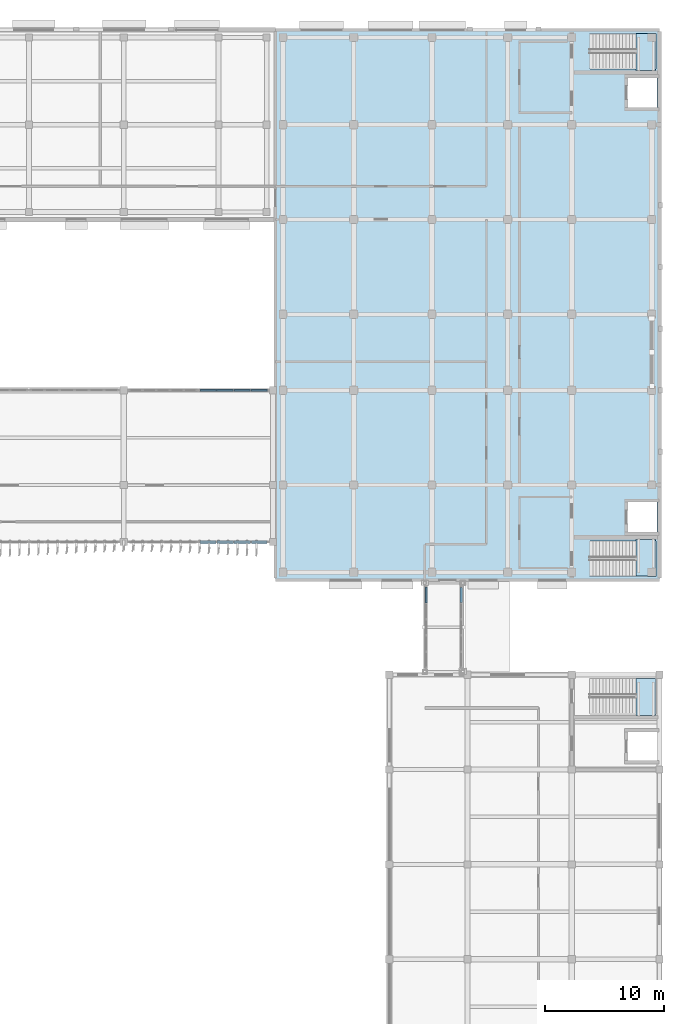
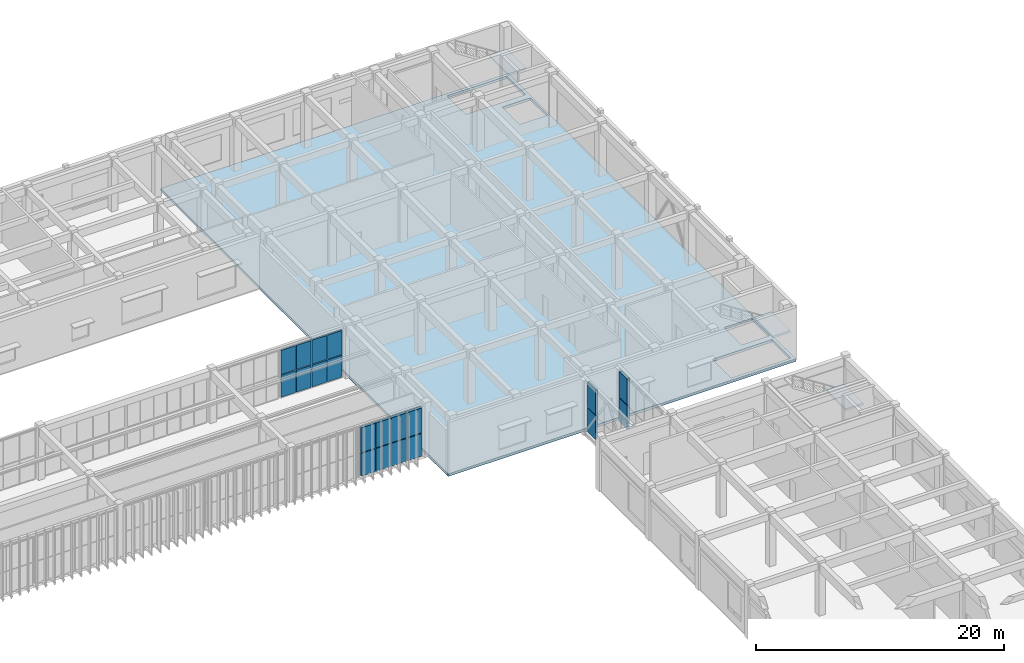
# One storey, part 34 of 64: 20 plates, 4 slabs, 7 elements without a shape of their own.
"""IFC4 building model written with IfcOpenShell, lengths in metres."""

import ifcopenshell
import ifcopenshell.guid

model = None  # the IFC model being written
_history = None  # IfcOwnerHistory: only IFC2X3 demands one
_inside = {}  # id of a spatial element -> (the spatial element, [elements in it])
_under = {}  # id of a project, library or spatial element -> (it, [spatial elements below it])
_declared = {}  # id of a project -> (the project, [libraries it declares])
_typed = {}  # id of a type object -> (the type object, [elements of that type])
_made_of = {}  # id of a material, layer set ... -> (it, [elements and type objects made of it])


def new_model(schema):
    """Start an empty IFC model of exactly this schema.

    Asked for "IFC4X3", IfcOpenShell would pick the latest addendum, in which some entities
    have other attributes; the version numbers below select the first issue.
    IFC2X3 requires an IfcOwnerHistory on every rooted entity: one is made here for all.
    """
    global model, _history
    if schema == "IFC4X3":
        model = ifcopenshell.file(schema_version=(4, 3, 0, 0))
    else:
        model = ifcopenshell.file(schema=schema)
    _inside.clear()
    _under.clear()
    _declared.clear()
    _typed.clear()
    _made_of.clear()
    _history = None
    if model.schema == "IFC2X3":
        org = make("IfcOrganization", Name="unknown")
        user = make(
            "IfcPersonAndOrganization",
            ThePerson=make("IfcPerson", FamilyName="unknown"),
            TheOrganization=org,
        )
        app = make(
            "IfcApplication",
            ApplicationDeveloper=org,
            Version="unknown",
            ApplicationFullName="unknown",
            ApplicationIdentifier="unknown",
        )
        _history = make(
            "IfcOwnerHistory",
            OwningUser=user,
            OwningApplication=app,
            ChangeAction="ADDED",
            CreationDate=0,
        )
    return model


def make(cls, **values):
    """One entity of the class cls with the attributes given. An attribute that is None is left unset."""
    return model.create_entity(
        cls, **{name: value for name, value in values.items() if value is not None}
    )


def rooted(cls, **values):
    """An entity with a GlobalId (a new one), such as an element, a storey or a relation."""
    return make(cls, GlobalId=ifcopenshell.guid.new(), OwnerHistory=_history, **values)


def si_unit(unit_type, name, prefix=None):
    """IfcSIUnit, for example si_unit("LENGTHUNIT", "METRE", prefix="MILLI")."""
    return make("IfcSIUnit", UnitType=unit_type, Prefix=prefix, Name=name)


def assignment(units):
    """IfcUnitAssignment: the units of a project."""
    return None if units is None else make("IfcUnitAssignment", Units=units)


def point(xyz):
    """IfcCartesianPoint."""
    return None if xyz is None else make("IfcCartesianPoint", Coordinates=xyz)


def direction(xyz):
    """IfcDirection."""
    return None if xyz is None else make("IfcDirection", DirectionRatios=xyz)


def frame(location, z_axis=None, x_axis=None):
    """IfcAxis2Placement3D, a coordinate frame: its origin and axes. An axis left out is left unset."""
    return make(
        "IfcAxis2Placement3D",
        Location=point(location),
        Axis=direction(z_axis),
        RefDirection=direction(x_axis),
    )


def frame_2d(location, x_axis=None):
    """IfcAxis2Placement2D, a coordinate frame in the plane: its origin and x axis."""
    return make(
        "IfcAxis2Placement2D", Location=point(location), RefDirection=direction(x_axis)
    )


def origin():
    """The frame at (0, 0, 0) with its axes left unset."""
    return frame((0.0, 0.0, 0.0))


def origin_2d():
    """The frame at (0, 0) in the plane with its x axis left unset."""
    return frame_2d((0.0, 0.0))


def place(relative_to, where):
    """IfcLocalPlacement: puts the frame where relative to a parent placement (None: the world)."""
    return make(
        "IfcLocalPlacement", PlacementRelTo=relative_to, RelativePlacement=where
    )


def context(
    kind, dimensions, precision=None, world=None, true_north=None, identifier=None
):
    """IfcGeometricRepresentationContext, for example the 3D "Model" context."""
    return make(
        "IfcGeometricRepresentationContext",
        ContextIdentifier=identifier,
        ContextType=kind,
        CoordinateSpaceDimension=dimensions,
        Precision=precision,
        WorldCoordinateSystem=world,
        TrueNorth=true_north,
    )


def subcontext(parent, identifier, kind, view, scale=None):
    """IfcGeometricRepresentationSubContext, for example "Body" below "Model"."""
    return make(
        "IfcGeometricRepresentationSubContext",
        ContextIdentifier=identifier,
        ContextType=kind,
        ParentContext=parent,
        TargetScale=scale,
        TargetView=view,
    )


def project(units=None, contexts=None):
    """IfcProject with its units and contexts."""
    return rooted(
        "IfcProject",
        Name="project",
        RepresentationContexts=contexts,
        UnitsInContext=assignment(units),
    )


def spatial(cls, under=None, at=None, **own):
    """A site, building, storey or space (cls), placed at a placement, below another one or the project."""
    s = rooted(cls, ObjectPlacement=at, **own)
    if under is not None:
        _under.setdefault(under.id(), (under, []))[1].append(s)
    return s


def polyline(points):
    """IfcPolyline through the points."""
    return make("IfcPolyline", Points=[point(p) for p in points])


def profile(cls, at=None, kind="AREA", **sizes):
    """A parametric profile (cls). Its sizes go by their IFC names, for example OverallWidth=200.0."""
    return make(cls, ProfileType=kind, Position=at, **sizes)


def rectangle(**sizes):
    """IfcRectangleProfileDef."""
    return profile("IfcRectangleProfileDef", **sizes)


def outline(outer, holes=None, kind="AREA"):
    """IfcArbitraryClosedProfileDef: a profile drawn as a closed curve; with holes, ...WithVoids."""
    if holes is None:
        return make("IfcArbitraryClosedProfileDef", ProfileType=kind, OuterCurve=outer)
    return make(
        "IfcArbitraryProfileDefWithVoids",
        ProfileType=kind,
        OuterCurve=outer,
        InnerCurves=holes,
    )


def extrude(swept, where, along, depth):
    """IfcExtrudedAreaSolid: the profile swept, set in the frame where, extruded along a direction by depth."""
    return make(
        "IfcExtrudedAreaSolid",
        SweptArea=swept,
        Position=where,
        ExtrudedDirection=direction(along),
        Depth=depth,
    )


def shape(context_of_items, identifier, shape_type, items):
    """IfcShapeRepresentation: the items that make up one representation, for example the "Body"."""
    return make(
        "IfcShapeRepresentation",
        ContextOfItems=context_of_items,
        RepresentationIdentifier=identifier,
        RepresentationType=shape_type,
        Items=items,
    )


def material(Name=None, Category=None):
    """IfcMaterial."""
    return make("IfcMaterial", Name=Name, Category=Category)


def layer(
    of_material, thickness, ventilated=None, Name=None, Category=None, Priority=None
):
    """IfcMaterialLayer: one layer of a wall or slab, of a material (None: an air gap)."""
    return make(
        "IfcMaterialLayer",
        Material=of_material,
        LayerThickness=thickness,
        IsVentilated=ventilated,
        Name=Name,
        Category=Category,
        Priority=Priority,
    )


def layer_set(layers, Name=None):
    """IfcMaterialLayerSet."""
    return make("IfcMaterialLayerSet", MaterialLayers=layers, LayerSetName=Name)


def made_of(thing, what):
    """Note that an element or type object is made of a material, layer set ...; save() writes the relation."""
    if what is not None:
        _made_of.setdefault(what.id(), (what, []))[1].append(thing)
    return thing


def type_object(cls, material=None, **own):
    """A type object (cls), such as IfcWallType, which elements share."""
    return made_of(rooted(cls, **own), material)


def element(
    cls,
    number,
    at=None,
    inside=None,
    cuts=None,
    type_object=None,
    material=None,
    context=None,
    identifier="Body",
    shape_type=None,
    held_by="IfcProductDefinitionShape",
    body=None,
    shapes=None,
    **own,
):
    """One element of the class cls, such as IfcWall. Its Tag is "e" and its number.

    at: its placement. inside: the storey or other place that contains it. cuts: it is an
    opening in that element (IfcRelVoidsElement). A single representation is given by context,
    identifier, shape_type and body (its items); several are given by shapes. held_by: the class
    of the entity that holds the representations. save() writes the other relations.
    """
    e = rooted(cls, Tag="e%d" % number, ObjectPlacement=at, **own)
    if body is not None:
        shapes = [shape(context, identifier, shape_type, body)]
    if shapes is not None:
        e.Representation = make(held_by, Representations=shapes)
    if inside is not None:
        _inside.setdefault(inside.id(), (inside, []))[1].append(e)
    if cuts is not None:
        rooted(
            "IfcRelVoidsElement", RelatingBuildingElement=cuts, RelatedOpeningElement=e
        )
    if type_object is not None:
        _typed.setdefault(type_object.id(), (type_object, []))[1].append(e)
    return made_of(e, material)


def aggregate(whole, parts):
    """IfcRelAggregates: a whole, such as a stair, and the parts it consists of."""
    return rooted("IfcRelAggregates", RelatingObject=whole, RelatedObjects=parts)


def save(model, path):
    """Write the relations noted so far, then the file.

    IfcRelAggregates (storeys below a building ...), IfcRelContainedInSpatialStructure (elements
    in a storey), IfcRelDefinesByType, IfcRelAssociatesMaterial and IfcRelDeclares: one each for
    every whole, place, type object, material and project.
    """
    for whole, parts in _under.values():
        aggregate(whole, parts)
    for where, things in _inside.values():
        rooted(
            "IfcRelContainedInSpatialStructure",
            RelatedElements=things,
            RelatingStructure=where,
        )
    for kind, things in _typed.values():
        rooted("IfcRelDefinesByType", RelatedObjects=things, RelatingType=kind)
    for what, things in _made_of.values():
        rooted("IfcRelAssociatesMaterial", RelatedObjects=things, RelatingMaterial=what)
    for by, libraries in _declared.values():
        rooted("IfcRelDeclares", RelatingContext=by, RelatedDefinitions=libraries)
    model.write(path)


model = new_model("IFC4")

# Units and contexts
model_context = context("Model", 3, precision=1e-05, world=origin(), true_north=direction((0.0, 1.0)))
body_context = subcontext(model_context, "Body", "Model", "MODEL_VIEW")
ifc_project = project(units=[si_unit("LENGTHUNIT", "METRE"), si_unit("AREAUNIT", "SQUARE_METRE"), si_unit("VOLUMEUNIT", "CUBIC_METRE"), si_unit("PLANEANGLEUNIT", "RADIAN"), si_unit("MASSUNIT", "GRAM", prefix="KILO")], contexts=[model_context])

# Site, building, storey
site_placement = place(None, origin())
site = spatial("IfcSite", under=ifc_project, at=site_placement, CompositionType="ELEMENT")
building_placement = place(site_placement, origin())
building = spatial("IfcBuilding", under=site, at=building_placement, Name="Cinchona Park Media Centre", CompositionType="ELEMENT")
storey_placement = place(building_placement, frame((0.0, 0.0, 10.199951171875)))
storey = spatial("IfcBuildingStorey", under=building, at=storey_placement, Name="L02", CompositionType="ELEMENT", Elevation=10.199951171875)

# Curtain wall, plates
ifc_material_1 = material(Name="Aluminium Curtain Wall Framing", Category="aluminium")
ifc_layer_1 = layer(ifc_material_1, 0.2099609375)
ifc_layer_set_1 = layer_set([ifc_layer_1], Name="Aluminium Curtain Wall Framing")
curtain_wall_type_1 = type_object("IfcCurtainWallType", Name="CW-CW03", PredefinedType="USERDEFINED", material=ifc_layer_set_1)
curtain_wall_1_placement = place(storey_placement, origin())
curtain_wall_1 = element("IfcCurtainWall", 1, at=curtain_wall_1_placement, inside=storey, type_object=curtain_wall_type_1, Name="Curtain Wall CW03 L02", ObjectType="UNITISED CURTAIN WALL", PredefinedType="USERDEFINED")
ifc_material_2 = material(Name="Insulated Acoustic Aluminium-Glass Spandrel Cassette", Category="aluminium")
ifc_layer_2 = layer(ifc_material_2, 0.139892578125)
ifc_layer_set_2 = layer_set([ifc_layer_2], Name="Insulated Acoustic Aluminium-Glass Spandrel Cassette")
plate_type_1 = type_object("IfcPlateType", Name="CWPANEL-PNL13", PredefinedType="CURTAIN_PANEL", material=ifc_layer_set_2)
plate_1_placement = place(storey_placement, frame((133.922607421875, 87.60009765625, 0.1201171875), z_axis=(0.0, 0.0, 1.0), x_axis=(1.0, 0.0, 0.0)))
plate_1 = element("IfcPlate", 2, at=plate_1_placement, type_object=plate_type_1, Name="CW03 panel 1.1", PredefinedType="CURTAIN_PANEL", context=body_context, shape_type="SweptSolid", body=[
    extrude(rectangle(XDim=1.344970703125, YDim=0.139892578125, at=origin_2d()), origin(), (0.0, 0.0, 1.0), 2.174072265625),
])
plate_2_placement = place(storey_placement, frame((133.922607421875, 87.60009765625, 2.3642578125), z_axis=(0.0, 0.0, 1.0), x_axis=(1.0, 0.0, 0.0)))
plate_2 = element("IfcPlate", 3, at=plate_2_placement, type_object=plate_type_1, Name="CW03 panel 1.2", PredefinedType="CURTAIN_PANEL", context=body_context, shape_type="SweptSolid", body=[
    extrude(rectangle(XDim=1.344970703125, YDim=0.139892578125, at=origin_2d()), origin(), (0.0, 0.0, 1.0), 2.363037109375),
])
plate_3_placement = place(storey_placement, frame((135.35498046875, 87.60009765625, 0.1201171875), z_axis=(0.0, 0.0, 1.0), x_axis=(1.0, 0.0, 0.0)))
plate_3 = element("IfcPlate", 4, at=plate_3_placement, type_object=plate_type_1, Name="CW03 panel 2.1", PredefinedType="CURTAIN_PANEL", context=body_context, shape_type="SweptSolid", body=[
    extrude(rectangle(XDim=1.3798828125, YDim=0.139892578125, at=origin_2d()), origin(), (0.0, 0.0, 1.0), 2.174072265625),
])
plate_4_placement = place(storey_placement, frame((135.35498046875, 87.60009765625, 2.3642578125), z_axis=(0.0, 0.0, 1.0), x_axis=(1.0, 0.0, 0.0)))
plate_4 = element("IfcPlate", 5, at=plate_4_placement, type_object=plate_type_1, Name="CW03 panel 2.2", PredefinedType="CURTAIN_PANEL", context=body_context, shape_type="SweptSolid", body=[
    extrude(rectangle(XDim=1.3798828125, YDim=0.139892578125, at=origin_2d()), origin(), (0.0, 0.0, 1.0), 2.363037109375),
])
plate_5_placement = place(storey_placement, frame((136.804931640625, 87.60009765625, 0.1201171875), z_axis=(0.0, 0.0, 1.0), x_axis=(1.0, 0.0, 0.0)))
plate_5 = element("IfcPlate", 6, at=plate_5_placement, type_object=plate_type_1, Name="CW03 panel 3.1", PredefinedType="CURTAIN_PANEL", context=body_context, shape_type="SweptSolid", body=[
    extrude(rectangle(XDim=1.3798828125, YDim=0.139892578125, at=origin_2d()), origin(), (0.0, 0.0, 1.0), 2.174072265625),
])
plate_6_placement = place(storey_placement, frame((136.804931640625, 87.60009765625, 2.3642578125), z_axis=(0.0, 0.0, 1.0), x_axis=(1.0, 0.0, 0.0)))
plate_6 = element("IfcPlate", 7, at=plate_6_placement, type_object=plate_type_1, Name="CW03 panel 3.2", PredefinedType="CURTAIN_PANEL", context=body_context, shape_type="SweptSolid", body=[
    extrude(rectangle(XDim=1.3798828125, YDim=0.139892578125, at=origin_2d()), origin(), (0.0, 0.0, 1.0), 2.363037109375),
])
plate_7_placement = place(storey_placement, frame((138.237548828125, 87.60009765625, 0.1201171875), z_axis=(0.0, 0.0, 1.0), x_axis=(1.0, 0.0, 0.0)))
plate_7 = element("IfcPlate", 8, at=plate_7_placement, type_object=plate_type_1, Name="CW03 panel 4.1", PredefinedType="CURTAIN_PANEL", context=body_context, shape_type="SweptSolid", body=[
    extrude(rectangle(XDim=1.344970703125, YDim=0.139892578125, at=origin_2d()), origin(), (0.0, 0.0, 1.0), 2.174072265625),
])
plate_8_placement = place(storey_placement, frame((138.237548828125, 87.60009765625, 2.3642578125), z_axis=(0.0, 0.0, 1.0), x_axis=(1.0, 0.0, 0.0)))
plate_8 = element("IfcPlate", 9, at=plate_8_placement, type_object=plate_type_1, Name="CW03 panel 4.2", PredefinedType="CURTAIN_PANEL", context=body_context, shape_type="SweptSolid", body=[
    extrude(rectangle(XDim=1.344970703125, YDim=0.139892578125, at=origin_2d()), origin(), (0.0, 0.0, 1.0), 2.363037109375),
])
aggregate(curtain_wall_1, [plate_1, plate_2, plate_3, plate_4, plate_5, plate_6, plate_7, plate_8])

ifc_material_3 = material(Name="Aluminium Curtain Wall Framing", Category="aluminium")
ifc_layer_3 = layer(ifc_material_3, 0.195068359375)
ifc_layer_set_3 = layer_set([ifc_layer_3], Name="Aluminium Curtain Wall Framing")
curtain_wall_type_2 = type_object("IfcCurtainWallType", Name="CW-CW02", PredefinedType="USERDEFINED", material=ifc_layer_set_3)
curtain_wall_2_placement = place(storey_placement, origin())
curtain_wall_2 = element("IfcCurtainWall", 10, at=curtain_wall_2_placement, inside=storey, type_object=curtain_wall_type_2, Name="Skybridge SB2 Curtain Wall CW02 L02", ObjectType="UNITISED CURTAIN WALL", PredefinedType="USERDEFINED")
ifc_material_4 = material(Name="Insulated Acoustic Aluminium-Glass Spandrel Cassette", Category="aluminium")
ifc_layer_4 = layer(ifc_material_4, 0.159912109375)
ifc_layer_set_4 = layer_set([ifc_layer_4], Name="Insulated Acoustic Aluminium-Glass Spandrel Cassette")
plate_type_2 = type_object("IfcPlateType", Name="CWPANEL-PNL15", PredefinedType="CURTAIN_PANEL", material=ifc_layer_set_4)
plate_9_placement = place(storey_placement, frame((152.320068359375, 70.32763671875, 0.115234375), z_axis=(0.0, 0.0, 1.0), x_axis=(0.0, 1.0, 0.0)))
plate_9 = element("IfcPlate", 11, at=plate_9_placement, type_object=plate_type_2, Name="CW02 panel 5.1", PredefinedType="CURTAIN_PANEL", context=body_context, shape_type="SweptSolid", body=[
    extrude(rectangle(XDim=1.2744140625, YDim=0.159912109375, at=origin_2d()), origin(), (0.0, 0.0, 1.0), 2.326416015625),
])
plate_10_placement = place(storey_placement, frame((152.320068359375, 70.32763671875, 2.50634765625), z_axis=(0.0, 0.0, 1.0), x_axis=(0.0, 1.0, 0.0)))
plate_10 = element("IfcPlate", 12, at=plate_10_placement, type_object=plate_type_2, Name="CW02 panel 5.2", PredefinedType="CURTAIN_PANEL", context=body_context, shape_type="SweptSolid", body=[
    extrude(rectangle(XDim=1.2744140625, YDim=0.159912109375, at=origin_2d()), origin(), (0.0, 0.0, 1.0), 2.528564453125),
])
aggregate(curtain_wall_2, [plate_9, plate_10])

curtain_wall_3_placement = place(storey_placement, origin())
curtain_wall_3 = element("IfcCurtainWall", 13, at=curtain_wall_3_placement, inside=storey, type_object=curtain_wall_type_2, Name="Skybridge SB2 Curtain Wall CW02 L02", ObjectType="UNITISED CURTAIN WALL", PredefinedType="USERDEFINED")
ifc_material_5 = material(Name="Insulated Acoustic Aluminium-Glass Spandrel Cassette", Category="aluminium")
ifc_layer_5 = layer(ifc_material_5, 0.22998046875)
ifc_layer_set_5 = layer_set([ifc_layer_5], Name="Insulated Acoustic Aluminium-Glass Spandrel Cassette")
plate_type_3 = type_object("IfcPlateType", Name="CWPANEL-PNL22", PredefinedType="CURTAIN_PANEL", material=ifc_layer_set_5)
plate_11_placement = place(storey_placement, frame((155.280029296875, 70.32763671875, 0.115234375), z_axis=(0.0, 0.0, 1.0), x_axis=(0.0, -1.0, 0.0)))
plate_11 = element("IfcPlate", 14, at=plate_11_placement, type_object=plate_type_3, Name="CW02 panel 1.1", PredefinedType="CURTAIN_PANEL", context=body_context, shape_type="SweptSolid", body=[
    extrude(rectangle(XDim=1.2744140625, YDim=0.22998046875, at=origin_2d()), origin(), (0.0, 0.0, 1.0), 2.326416015625),
])
plate_12_placement = place(storey_placement, frame((155.280029296875, 70.32763671875, 2.50634765625), z_axis=(0.0, 0.0, 1.0), x_axis=(0.0, -1.0, 0.0)))
plate_12 = element("IfcPlate", 15, at=plate_12_placement, type_object=plate_type_3, Name="CW02 panel 1.2", PredefinedType="CURTAIN_PANEL", context=body_context, shape_type="SweptSolid", body=[
    extrude(rectangle(XDim=1.2744140625, YDim=0.22998046875, at=origin_2d()), origin(), (0.0, 0.0, 1.0), 2.528564453125),
])
aggregate(curtain_wall_3, [plate_11, plate_12])

ifc_material_6 = material(Name="Aluminium Curtain Wall Framing", Category="aluminium")
ifc_layer_6 = layer(ifc_material_6, 0.2548828125)
ifc_layer_set_6 = layer_set([ifc_layer_6], Name="Aluminium Curtain Wall Framing")
curtain_wall_type_3 = type_object("IfcCurtainWallType", Name="CW-CW06", PredefinedType="USERDEFINED", material=ifc_layer_set_6)
curtain_wall_4_placement = place(storey_placement, origin())
curtain_wall_4 = element("IfcCurtainWall", 16, at=curtain_wall_4_placement, inside=storey, type_object=curtain_wall_type_3, Name="Curtain Wall CW06 L02", ObjectType="UNITISED CURTAIN WALL", PredefinedType="USERDEFINED")
ifc_material_7 = material(Name="Insulated Acoustic Aluminium-Glass Spandrel Cassette", Category="aluminium")
ifc_layer_7 = layer(ifc_material_7, 0.25)
ifc_layer_set_7 = layer_set([ifc_layer_7], Name="Insulated Acoustic Aluminium-Glass Spandrel Cassette")
plate_type_4 = type_object("IfcPlateType", Name="CWPANEL-PNL24", PredefinedType="CURTAIN_PANEL", material=ifc_layer_set_7)
plate_13_placement = place(storey_placement, frame((138.236328125, 74.800048828125, 0.125), z_axis=(0.0, 0.0, 1.0), x_axis=(-1.0, 0.0, 0.0)))
plate_13 = element("IfcPlate", 17, at=plate_13_placement, type_object=plate_type_4, Name="CW06 panel 1.1", PredefinedType="CURTAIN_PANEL", context=body_context, shape_type="SweptSolid", body=[
    extrude(rectangle(XDim=1.33740234375, YDim=0.25, at=origin_2d()), origin(), (0.0, 0.0, 1.0), 2.242431640625),
])
plate_14_placement = place(storey_placement, frame((138.236328125, 74.800048828125, 2.442626953125), z_axis=(0.0, 0.0, 1.0), x_axis=(-1.0, 0.0, 0.0)))
plate_14 = element("IfcPlate", 18, at=plate_14_placement, type_object=plate_type_4, Name="CW06 panel 1.2", PredefinedType="CURTAIN_PANEL", context=body_context, shape_type="SweptSolid", body=[
    extrude(rectangle(XDim=1.33740234375, YDim=0.25, at=origin_2d()), origin(), (0.0, 0.0, 1.0), 2.439453125),
])
plate_15_placement = place(storey_placement, frame((136.804931640625, 74.800048828125, 0.125), z_axis=(0.0, 0.0, 1.0), x_axis=(-1.0, 0.0, 0.0)))
plate_15 = element("IfcPlate", 19, at=plate_15_placement, type_object=plate_type_4, Name="CW06 panel 2.1", PredefinedType="CURTAIN_PANEL", context=body_context, shape_type="SweptSolid", body=[
    extrude(rectangle(XDim=1.375, YDim=0.25, at=origin_2d()), origin(), (0.0, 0.0, 1.0), 2.242431640625),
])
plate_16_placement = place(storey_placement, frame((136.804931640625, 74.800048828125, 2.442626953125), z_axis=(0.0, 0.0, 1.0), x_axis=(-1.0, 0.0, 0.0)))
plate_16 = element("IfcPlate", 20, at=plate_16_placement, type_object=plate_type_4, Name="CW06 panel 2.2", PredefinedType="CURTAIN_PANEL", context=body_context, shape_type="SweptSolid", body=[
    extrude(rectangle(XDim=1.375, YDim=0.25, at=origin_2d()), origin(), (0.0, 0.0, 1.0), 2.439453125),
])
plate_17_placement = place(storey_placement, frame((135.35498046875, 74.800048828125, 0.125), z_axis=(0.0, 0.0, 1.0), x_axis=(-1.0, 0.0, 0.0)))
plate_17 = element("IfcPlate", 21, at=plate_17_placement, type_object=plate_type_4, Name="CW06 panel 3.1", PredefinedType="CURTAIN_PANEL", context=body_context, shape_type="SweptSolid", body=[
    extrude(rectangle(XDim=1.375, YDim=0.25, at=origin_2d()), origin(), (0.0, 0.0, 1.0), 2.242431640625),
])
plate_18_placement = place(storey_placement, frame((135.35498046875, 74.800048828125, 2.442626953125), z_axis=(0.0, 0.0, 1.0), x_axis=(-1.0, 0.0, 0.0)))
plate_18 = element("IfcPlate", 22, at=plate_18_placement, type_object=plate_type_4, Name="CW06 panel 3.2", PredefinedType="CURTAIN_PANEL", context=body_context, shape_type="SweptSolid", body=[
    extrude(rectangle(XDim=1.375, YDim=0.25, at=origin_2d()), origin(), (0.0, 0.0, 1.0), 2.439453125),
])
plate_19_placement = place(storey_placement, frame((133.923828125, 74.800048828125, 0.125), z_axis=(0.0, 0.0, 1.0), x_axis=(-1.0, 0.0, 0.0)))
plate_19 = element("IfcPlate", 23, at=plate_19_placement, type_object=plate_type_4, Name="CW06 panel 4.1", PredefinedType="CURTAIN_PANEL", context=body_context, shape_type="SweptSolid", body=[
    extrude(rectangle(XDim=1.33740234375, YDim=0.25, at=origin_2d()), origin(), (0.0, 0.0, 1.0), 2.242431640625),
])
plate_20_placement = place(storey_placement, frame((133.923828125, 74.800048828125, 2.442626953125), z_axis=(0.0, 0.0, 1.0), x_axis=(-1.0, 0.0, 0.0)))
plate_20 = element("IfcPlate", 24, at=plate_20_placement, type_object=plate_type_4, Name="CW06 panel 4.2", PredefinedType="CURTAIN_PANEL", context=body_context, shape_type="SweptSolid", body=[
    extrude(rectangle(XDim=1.33740234375, YDim=0.25, at=origin_2d()), origin(), (0.0, 0.0, 1.0), 2.439453125),
])
aggregate(curtain_wall_4, [plate_13, plate_14, plate_15, plate_16, plate_17, plate_18, plate_19, plate_20])

# Stair, slab
ifc_material_8 = material(Name="Concrete C35/45", Category="concrete")
stair_type_1 = type_object("IfcStairType", Name="STAIR-ST1-HT54", PredefinedType="HALF_TURN_STAIR", material=ifc_material_8)
stair_1_placement = place(storey_placement, origin())
stair_1 = element("IfcStair", 25, at=stair_1_placement, inside=storey, type_object=stair_type_1, Name="Exit Stair ST1 L02", PredefinedType="HALF_TURN_STAIR")
ifc_material_9 = material(Name="Concrete C35/45", Category="concrete")
ifc_layer_8 = layer(ifc_material_9, 0.205078125)
ifc_layer_set_8 = layer_set([ifc_layer_8], Name="Concrete C35/45")
slab_type_1 = type_object("IfcSlabType", Name="LANDING-LDG01", PredefinedType="LANDING", material=ifc_layer_set_8)
slab_1_placement = place(storey_placement, frame((0.0, 0.0, 2.4951171875)))
slab_1 = element("IfcSlab", 26, at=slab_1_placement, type_object=slab_type_1, Name="ST1 landing 1", PredefinedType="LANDING", context=body_context, shape_type="SweptSolid", body=[
    extrude(outline(polyline([(170.02001953125, 71.919921875), (171.679931640625, 71.919921875), (171.679931640625, 75.02001953125), (170.02001953125, 75.02001953125), (170.02001953125, 71.919921875)])), origin(), (0.0, 0.0, 1.0), 0.204833984375),
])
aggregate(stair_1, [slab_1])

ifc_material_10 = material(Name="Concrete C35/45", Category="concrete")
stair_type_2 = type_object("IfcStairType", Name="STAIR-ST2-HT54", PredefinedType="HALF_TURN_STAIR", material=ifc_material_10)
stair_2_placement = place(storey_placement, origin())
stair_2 = element("IfcStair", 27, at=stair_2_placement, inside=storey, type_object=stair_type_2, Name="Exit Stair ST2 L02", PredefinedType="HALF_TURN_STAIR")
slab_2_placement = place(storey_placement, frame((0.0, 0.0, 2.4951171875)))
slab_2 = element("IfcSlab", 28, at=slab_2_placement, type_object=slab_type_1, Name="ST2 landing 1", PredefinedType="LANDING", context=body_context, shape_type="SweptSolid", body=[
    extrude(outline(polyline([(170.02001953125, 114.580078125), (171.679931640625, 114.580078125), (171.679931640625, 117.679931640625), (170.02001953125, 117.679931640625), (170.02001953125, 114.580078125)])), origin(), (0.0, 0.0, 1.0), 0.204833984375),
])
aggregate(stair_2, [slab_2])

ifc_material_11 = material(Name="Concrete C35/45", Category="concrete")
stair_type_3 = type_object("IfcStairType", Name="STAIR-ST7-HT54", PredefinedType="HALF_TURN_STAIR", material=ifc_material_11)
stair_3_placement = place(storey_placement, origin())
stair_3 = element("IfcStair", 29, at=stair_3_placement, inside=storey, type_object=stair_type_3, Name="Exit Stair ST7 L02", PredefinedType="HALF_TURN_STAIR")
slab_3_placement = place(storey_placement, frame((0.0, 0.0, 2.4951171875)))
slab_3 = element("IfcSlab", 30, at=slab_3_placement, type_object=slab_type_1, Name="ST7 landing 1", PredefinedType="LANDING", context=body_context, shape_type="SweptSolid", body=[
    extrude(outline(polyline([(170.02001953125, 60.14990234375), (171.679931640625, 60.14990234375), (171.679931640625, 63.280029296875), (170.02001953125, 63.280029296875), (170.02001953125, 60.14990234375)])), origin(), (0.0, 0.0, 1.0), 0.204833984375),
])
aggregate(stair_3, [slab_3])

# Slab
ifc_material_12 = material(Name="Concrete C35/45", Category="concrete")
ifc_layer_9 = layer(ifc_material_12, 0.25)
ifc_layer_set_9 = layer_set([ifc_layer_9], Name="Concrete C35/45")
slab_type_2 = type_object("IfcSlabType", Name="SLAB-SL06-250", PredefinedType="FLOOR", material=ifc_layer_set_9)
slab_4_placement = place(storey_placement, frame((0.0, 0.0, -0.25)))
element("IfcSlab", 31, at=slab_4_placement, inside=storey, type_object=slab_type_2, Name="Floor Slab V7 L02", PredefinedType="FLOOR", context=body_context, shape_type="SweptSolid", body=[
    extrude(outline(polyline([(139.60009765625, 71.60009765625), (172.0, 71.60009765625), (172.0, 118.0), (139.60009765625, 118.0), (139.60009765625, 71.60009765625)]), holes=[polyline([(166.135009765625, 71.89990234375), (171.699951171875, 71.89990234375), (171.699951171875, 74.89990234375), (166.135009765625, 74.89990234375), (166.135009765625, 71.89990234375)]), polyline([(169.199951171875, 75.5), (171.800048828125, 75.5), (171.800048828125, 78.300048828125), (169.199951171875, 78.300048828125), (169.199951171875, 75.5)]), polyline([(166.135009765625, 114.699951171875), (171.699951171875, 114.699951171875), (171.699951171875, 117.699951171875), (166.135009765625, 117.699951171875), (166.135009765625, 114.699951171875)]), polyline([(169.199951171875, 111.300048828125), (171.800048828125, 111.300048828125), (171.800048828125, 114.10009765625), (169.199951171875, 114.10009765625), (169.199951171875, 111.300048828125)])]), origin(), (0.0, 0.0, 1.0), 0.25),
])

save(model, "model.ifc")
